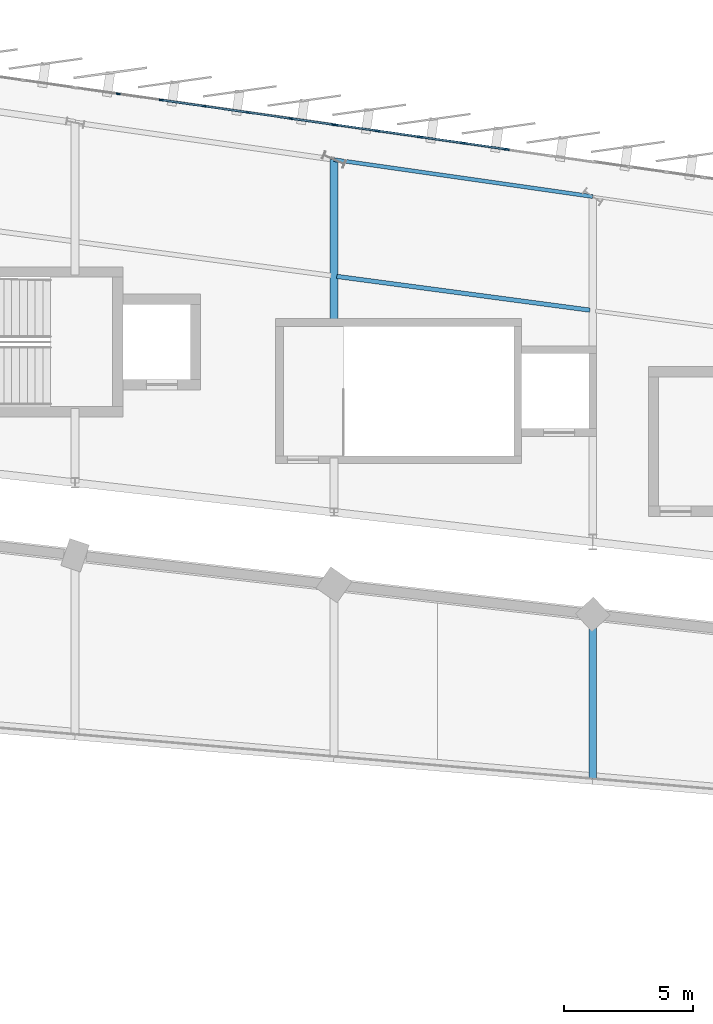
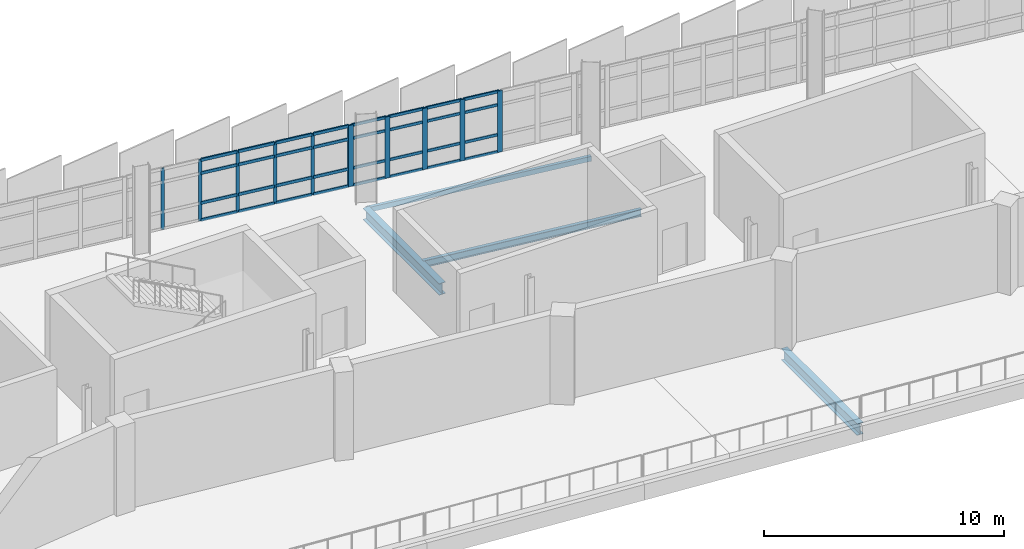
# One storey, part 35 of 87: 43 members, 4 beams, 2 elements without a shape of their own.
"""IFC4 building model written with IfcOpenShell, lengths in metres."""

import ifcopenshell
import ifcopenshell.guid

model = None  # the IFC model being written
_history = None  # IfcOwnerHistory: only IFC2X3 demands one
_inside = {}  # id of a spatial element -> (the spatial element, [elements in it])
_under = {}  # id of a project, library or spatial element -> (it, [spatial elements below it])
_declared = {}  # id of a project -> (the project, [libraries it declares])
_typed = {}  # id of a type object -> (the type object, [elements of that type])
_made_of = {}  # id of a material, layer set ... -> (it, [elements and type objects made of it])


def new_model(schema):
    """Start an empty IFC model of exactly this schema.

    Asked for "IFC4X3", IfcOpenShell would pick the latest addendum, in which some entities
    have other attributes; the version numbers below select the first issue.
    IFC2X3 requires an IfcOwnerHistory on every rooted entity: one is made here for all.
    """
    global model, _history
    if schema == "IFC4X3":
        model = ifcopenshell.file(schema_version=(4, 3, 0, 0))
    else:
        model = ifcopenshell.file(schema=schema)
    _inside.clear()
    _under.clear()
    _declared.clear()
    _typed.clear()
    _made_of.clear()
    _history = None
    if model.schema == "IFC2X3":
        org = make("IfcOrganization", Name="unknown")
        user = make(
            "IfcPersonAndOrganization",
            ThePerson=make("IfcPerson", FamilyName="unknown"),
            TheOrganization=org,
        )
        app = make(
            "IfcApplication",
            ApplicationDeveloper=org,
            Version="unknown",
            ApplicationFullName="unknown",
            ApplicationIdentifier="unknown",
        )
        _history = make(
            "IfcOwnerHistory",
            OwningUser=user,
            OwningApplication=app,
            ChangeAction="ADDED",
            CreationDate=0,
        )
    return model


def make(cls, **values):
    """One entity of the class cls with the attributes given. An attribute that is None is left unset."""
    return model.create_entity(
        cls, **{name: value for name, value in values.items() if value is not None}
    )


def rooted(cls, **values):
    """An entity with a GlobalId (a new one), such as an element, a storey or a relation."""
    return make(cls, GlobalId=ifcopenshell.guid.new(), OwnerHistory=_history, **values)


def si_unit(unit_type, name, prefix=None):
    """IfcSIUnit, for example si_unit("LENGTHUNIT", "METRE", prefix="MILLI")."""
    return make("IfcSIUnit", UnitType=unit_type, Prefix=prefix, Name=name)


def assignment(units):
    """IfcUnitAssignment: the units of a project."""
    return None if units is None else make("IfcUnitAssignment", Units=units)


def point(xyz):
    """IfcCartesianPoint."""
    return None if xyz is None else make("IfcCartesianPoint", Coordinates=xyz)


def direction(xyz):
    """IfcDirection."""
    return None if xyz is None else make("IfcDirection", DirectionRatios=xyz)


def frame(location, z_axis=None, x_axis=None):
    """IfcAxis2Placement3D, a coordinate frame: its origin and axes. An axis left out is left unset."""
    return make(
        "IfcAxis2Placement3D",
        Location=point(location),
        Axis=direction(z_axis),
        RefDirection=direction(x_axis),
    )


def frame_2d(location, x_axis=None):
    """IfcAxis2Placement2D, a coordinate frame in the plane: its origin and x axis."""
    return make(
        "IfcAxis2Placement2D", Location=point(location), RefDirection=direction(x_axis)
    )


def origin():
    """The frame at (0, 0, 0) with its axes left unset."""
    return frame((0.0, 0.0, 0.0))


def origin_2d():
    """The frame at (0, 0) in the plane with its x axis left unset."""
    return frame_2d((0.0, 0.0))


def place(relative_to, where):
    """IfcLocalPlacement: puts the frame where relative to a parent placement (None: the world)."""
    return make(
        "IfcLocalPlacement", PlacementRelTo=relative_to, RelativePlacement=where
    )


def context(
    kind, dimensions, precision=None, world=None, true_north=None, identifier=None
):
    """IfcGeometricRepresentationContext, for example the 3D "Model" context."""
    return make(
        "IfcGeometricRepresentationContext",
        ContextIdentifier=identifier,
        ContextType=kind,
        CoordinateSpaceDimension=dimensions,
        Precision=precision,
        WorldCoordinateSystem=world,
        TrueNorth=true_north,
    )


def subcontext(parent, identifier, kind, view, scale=None):
    """IfcGeometricRepresentationSubContext, for example "Body" below "Model"."""
    return make(
        "IfcGeometricRepresentationSubContext",
        ContextIdentifier=identifier,
        ContextType=kind,
        ParentContext=parent,
        TargetScale=scale,
        TargetView=view,
    )


def project(units=None, contexts=None):
    """IfcProject with its units and contexts."""
    return rooted(
        "IfcProject",
        Name="project",
        RepresentationContexts=contexts,
        UnitsInContext=assignment(units),
    )


def spatial(cls, under=None, at=None, **own):
    """A site, building, storey or space (cls), placed at a placement, below another one or the project."""
    s = rooted(cls, ObjectPlacement=at, **own)
    if under is not None:
        _under.setdefault(under.id(), (under, []))[1].append(s)
    return s


def profile(cls, at=None, kind="AREA", **sizes):
    """A parametric profile (cls). Its sizes go by their IFC names, for example OverallWidth=200.0."""
    return make(cls, ProfileType=kind, Position=at, **sizes)


def rectangle(**sizes):
    """IfcRectangleProfileDef."""
    return profile("IfcRectangleProfileDef", **sizes)


def hollow_rectangle(**sizes):
    """IfcRectangleHollowProfileDef."""
    return profile("IfcRectangleHollowProfileDef", **sizes)


def i_section(**sizes):
    """IfcIShapeProfileDef."""
    return profile("IfcIShapeProfileDef", **sizes)


def extrude(swept, where, along, depth):
    """IfcExtrudedAreaSolid: the profile swept, set in the frame where, extruded along a direction by depth."""
    return make(
        "IfcExtrudedAreaSolid",
        SweptArea=swept,
        Position=where,
        ExtrudedDirection=direction(along),
        Depth=depth,
    )


def shape(context_of_items, identifier, shape_type, items):
    """IfcShapeRepresentation: the items that make up one representation, for example the "Body"."""
    return make(
        "IfcShapeRepresentation",
        ContextOfItems=context_of_items,
        RepresentationIdentifier=identifier,
        RepresentationType=shape_type,
        Items=items,
    )


def material(Name=None, Category=None):
    """IfcMaterial."""
    return make("IfcMaterial", Name=Name, Category=Category)


def layer(
    of_material, thickness, ventilated=None, Name=None, Category=None, Priority=None
):
    """IfcMaterialLayer: one layer of a wall or slab, of a material (None: an air gap)."""
    return make(
        "IfcMaterialLayer",
        Material=of_material,
        LayerThickness=thickness,
        IsVentilated=ventilated,
        Name=Name,
        Category=Category,
        Priority=Priority,
    )


def layer_set(layers, Name=None):
    """IfcMaterialLayerSet."""
    return make("IfcMaterialLayerSet", MaterialLayers=layers, LayerSetName=Name)


def material_profile(
    of_material, cross_section, Name=None, Category=None, Priority=None
):
    """IfcMaterialProfile: a cross section and its material."""
    return make(
        "IfcMaterialProfile",
        Name=Name,
        Material=of_material,
        Profile=cross_section,
        Priority=Priority,
        Category=Category,
    )


def profile_set(profiles, Name=None, composite=None):
    """IfcMaterialProfileSet."""
    return make(
        "IfcMaterialProfileSet",
        Name=Name,
        MaterialProfiles=profiles,
        CompositeProfile=composite,
    )


def made_of(thing, what):
    """Note that an element or type object is made of a material, layer set ...; save() writes the relation."""
    if what is not None:
        _made_of.setdefault(what.id(), (what, []))[1].append(thing)
    return thing


def type_object(cls, material=None, **own):
    """A type object (cls), such as IfcWallType, which elements share."""
    return made_of(rooted(cls, **own), material)


def element(
    cls,
    number,
    at=None,
    inside=None,
    cuts=None,
    type_object=None,
    material=None,
    context=None,
    identifier="Body",
    shape_type=None,
    held_by="IfcProductDefinitionShape",
    body=None,
    shapes=None,
    **own,
):
    """One element of the class cls, such as IfcWall. Its Tag is "e" and its number.

    at: its placement. inside: the storey or other place that contains it. cuts: it is an
    opening in that element (IfcRelVoidsElement). A single representation is given by context,
    identifier, shape_type and body (its items); several are given by shapes. held_by: the class
    of the entity that holds the representations. save() writes the other relations.
    """
    e = rooted(cls, Tag="e%d" % number, ObjectPlacement=at, **own)
    if body is not None:
        shapes = [shape(context, identifier, shape_type, body)]
    if shapes is not None:
        e.Representation = make(held_by, Representations=shapes)
    if inside is not None:
        _inside.setdefault(inside.id(), (inside, []))[1].append(e)
    if cuts is not None:
        rooted(
            "IfcRelVoidsElement", RelatingBuildingElement=cuts, RelatedOpeningElement=e
        )
    if type_object is not None:
        _typed.setdefault(type_object.id(), (type_object, []))[1].append(e)
    return made_of(e, material)


def aggregate(whole, parts):
    """IfcRelAggregates: a whole, such as a stair, and the parts it consists of."""
    return rooted("IfcRelAggregates", RelatingObject=whole, RelatedObjects=parts)


def save(model, path):
    """Write the relations noted so far, then the file.

    IfcRelAggregates (storeys below a building ...), IfcRelContainedInSpatialStructure (elements
    in a storey), IfcRelDefinesByType, IfcRelAssociatesMaterial and IfcRelDeclares: one each for
    every whole, place, type object, material and project.
    """
    for whole, parts in _under.values():
        aggregate(whole, parts)
    for where, things in _inside.values():
        rooted(
            "IfcRelContainedInSpatialStructure",
            RelatedElements=things,
            RelatingStructure=where,
        )
    for kind, things in _typed.values():
        rooted("IfcRelDefinesByType", RelatedObjects=things, RelatingType=kind)
    for what, things in _made_of.values():
        rooted("IfcRelAssociatesMaterial", RelatedObjects=things, RelatingMaterial=what)
    for by, libraries in _declared.values():
        rooted("IfcRelDeclares", RelatingContext=by, RelatedDefinitions=libraries)
    model.write(path)


model = new_model("IFC4")

# Units and contexts
model_context = context("Model", 3, precision=1e-05, world=origin(), true_north=direction((0.0, 1.0)))
body_context = subcontext(model_context, "Body", "Model", "MODEL_VIEW")
ifc_project = project(units=[si_unit("LENGTHUNIT", "METRE"), si_unit("AREAUNIT", "SQUARE_METRE"), si_unit("VOLUMEUNIT", "CUBIC_METRE"), si_unit("PLANEANGLEUNIT", "RADIAN"), si_unit("MASSUNIT", "GRAM", prefix="KILO")], contexts=[model_context])

# Site, building, storey
site_placement = place(None, origin())
site = spatial("IfcSite", under=ifc_project, at=site_placement, CompositionType="ELEMENT")
building_placement = place(site_placement, origin())
building = spatial("IfcBuilding", under=site, at=building_placement, Name="Sohan Crest Arena", CompositionType="ELEMENT")
storey_placement = place(building_placement, frame((0.0, 0.0, 18.0)))
storey = spatial("IfcBuildingStorey", under=building, at=storey_placement, Name="L04", CompositionType="ELEMENT", Elevation=18.0)

# Curtain wall, members
ifc_material_1 = material(Name="Thermally broken anodised aluminium", Category="aluminium")
ifc_layer_1 = layer(ifc_material_1, 0.219970703125, Name="Thermally broken anodised aluminium")
ifc_layer_set_1 = layer_set([ifc_layer_1], Name="Thermally broken anodised aluminium")
curtain_wall_type_1 = type_object("IfcCurtainWallType", Name="ARC-CW03", PredefinedType="NOTDEFINED", material=ifc_layer_set_1)
curtain_wall_1_placement = place(storey_placement, origin())
curtain_wall_1 = element("IfcCurtainWall", 1, at=curtain_wall_1_placement, inside=storey, type_object=curtain_wall_type_1, Name="Unitised curtain wall CW-144", PredefinedType="NOTDEFINED")
ifc_material_profile_1 = material_profile(ifc_material_1, rectangle(XDim=0.06005859375, YDim=0.159912109375, at=origin_2d()), Name="ALU-MULL 60x160")
ifc_profile_set_1 = profile_set([ifc_material_profile_1], Name="Thermally broken anodised aluminium")
member_type_1 = type_object("IfcMemberType", Name="ARC-CW-ML01", PredefinedType="MULLION", material=ifc_profile_set_1)
member_1_placement = place(storey_placement, frame((117.97021484375, 124.497314453125, 0.0), z_axis=(0.0, 0.0, 1.0), x_axis=(-0.141365918403, -0.989957411768, 0.0)))
member_1 = element("IfcMember", 2, at=member_1_placement, type_object=member_type_1, Name="CW-144 mullion 1", PredefinedType="MULLION", context=body_context, shape_type="SweptSolid", body=[
    extrude(rectangle(XDim=0.06005859375, YDim=0.159912109375, at=origin_2d()), origin(), (0.0, 0.0, 1.0), 3.1201171875),
])
member_2_placement = place(storey_placement, frame((116.333251953125, 124.73095703125, 0.0), z_axis=(0.0, 0.0, 1.0), x_axis=(-0.141365918403, -0.989957411768, 0.0)))
member_2 = element("IfcMember", 3, at=member_2_placement, type_object=member_type_1, Name="CW-144 mullion 2", PredefinedType="MULLION", context=body_context, shape_type="SweptSolid", body=[
    extrude(rectangle(XDim=0.06005859375, YDim=0.159912109375, at=origin_2d()), origin(), (0.0, 0.0, 1.0), 3.1201171875),
])
member_3_placement = place(storey_placement, frame((114.666748046875, 124.968994140625, 0.0), z_axis=(0.0, 0.0, 1.0), x_axis=(-0.141365918403, -0.989957411768, 0.0)))
member_3 = element("IfcMember", 4, at=member_3_placement, type_object=member_type_1, Name="CW-144 mullion 3", PredefinedType="MULLION", context=body_context, shape_type="SweptSolid", body=[
    extrude(rectangle(XDim=0.06005859375, YDim=0.159912109375, at=origin_2d()), origin(), (0.0, 0.0, 1.0), 3.1201171875),
])
member_4_placement = place(storey_placement, frame((113.0, 125.20703125, 0.0), z_axis=(0.0, 0.0, 1.0), x_axis=(-0.141365918403, -0.989957411768, 0.0)))
member_4 = element("IfcMember", 5, at=member_4_placement, type_object=member_type_1, Name="CW-144 mullion 4", PredefinedType="MULLION", context=body_context, shape_type="SweptSolid", body=[
    extrude(rectangle(XDim=0.06005859375, YDim=0.159912109375, at=origin_2d()), origin(), (0.0, 0.0, 1.0), 3.1201171875),
])
member_5_placement = place(storey_placement, frame((111.333251953125, 125.445068359375, 0.0), z_axis=(0.0, 0.0, 1.0), x_axis=(-0.141365918403, -0.989957411768, 0.0)))
member_5 = element("IfcMember", 6, at=member_5_placement, type_object=member_type_1, Name="CW-144 mullion 5", PredefinedType="MULLION", context=body_context, shape_type="SweptSolid", body=[
    extrude(rectangle(XDim=0.06005859375, YDim=0.159912109375, at=origin_2d()), origin(), (0.0, 0.0, 1.0), 3.1201171875),
])
member_6_placement = place(storey_placement, frame((109.666748046875, 125.68310546875, 0.0), z_axis=(0.0, 0.0, 1.0), x_axis=(-0.141365918403, -0.989957411768, 0.0)))
member_6 = element("IfcMember", 7, at=member_6_placement, type_object=member_type_1, Name="CW-144 mullion 6", PredefinedType="MULLION", context=body_context, shape_type="SweptSolid", body=[
    extrude(rectangle(XDim=0.06005859375, YDim=0.159912109375, at=origin_2d()), origin(), (0.0, 0.0, 1.0), 3.1201171875),
])

ifc_layer_2 = layer(ifc_material_1, 0.199951171875, Name="Thermally broken anodised aluminium")
ifc_layer_set_2 = layer_set([ifc_layer_2], Name="Thermally broken anodised aluminium")
curtain_wall_type_2 = type_object("IfcCurtainWallType", Name="ARC-CW02", PredefinedType="NOTDEFINED", material=ifc_layer_set_2)
curtain_wall_2_placement = place(storey_placement, origin())
curtain_wall_2 = element("IfcCurtainWall", 8, at=curtain_wall_2_placement, inside=storey, type_object=curtain_wall_type_2, Name="Unitised curtain wall CW-143", PredefinedType="NOTDEFINED")
ifc_material_profile_2 = material_profile(ifc_material_1, rectangle(XDim=0.074951171875, YDim=0.219970703125, at=origin_2d()), Name="ALU-MULL 75x220")
ifc_profile_set_2 = profile_set([ifc_material_profile_2], Name="Thermally broken anodised aluminium")
member_type_2 = type_object("IfcMemberType", Name="ARC-CW-ML04", PredefinedType="MULLION", material=ifc_profile_set_2)
member_7_placement = place(storey_placement, frame((124.666748046875, 123.540283203125, 0.0), z_axis=(0.0, 0.0, 1.0), x_axis=(-0.141462933734, -0.989943553128, 0.0)))
member_7 = element("IfcMember", 9, at=member_7_placement, type_object=member_type_2, Name="CW-143 mullion 3", PredefinedType="MULLION", context=body_context, shape_type="SweptSolid", body=[
    extrude(rectangle(XDim=0.074951171875, YDim=0.219970703125, at=origin_2d()), origin(), (0.0, 0.0, 1.0), 3.1201171875),
])
member_8_placement = place(storey_placement, frame((123.0, 123.778564453125, 0.0), z_axis=(0.0, 0.0, 1.0), x_axis=(-0.141462933734, -0.989943553128, 0.0)))
member_8 = element("IfcMember", 10, at=member_8_placement, type_object=member_type_2, Name="CW-143 mullion 4", PredefinedType="MULLION", context=body_context, shape_type="SweptSolid", body=[
    extrude(rectangle(XDim=0.074951171875, YDim=0.219970703125, at=origin_2d()), origin(), (0.0, 0.0, 1.0), 3.1201171875),
])
member_9_placement = place(storey_placement, frame((121.333251953125, 124.0166015625, 0.0), z_axis=(0.0, 0.0, 1.0), x_axis=(-0.141462933734, -0.989943553128, 0.0)))
member_9 = element("IfcMember", 11, at=member_9_placement, type_object=member_type_2, Name="CW-143 mullion 5", PredefinedType="MULLION", context=body_context, shape_type="SweptSolid", body=[
    extrude(rectangle(XDim=0.074951171875, YDim=0.219970703125, at=origin_2d()), origin(), (0.0, 0.0, 1.0), 3.1201171875),
])
member_10_placement = place(storey_placement, frame((119.666748046875, 124.2548828125, 0.0), z_axis=(0.0, 0.0, 1.0), x_axis=(-0.141462933734, -0.989943553128, 0.0)))
member_10 = element("IfcMember", 12, at=member_10_placement, type_object=member_type_2, Name="CW-143 mullion 6", PredefinedType="MULLION", context=body_context, shape_type="SweptSolid", body=[
    extrude(rectangle(XDim=0.074951171875, YDim=0.219970703125, at=origin_2d()), origin(), (0.0, 0.0, 1.0), 3.1201171875),
])
member_11_placement = place(storey_placement, frame((118.037109375, 124.48779296875, 0.0), z_axis=(0.0, 0.0, 1.0), x_axis=(-0.141462933734, -0.989943553128, 0.0)))
member_11 = element("IfcMember", 13, at=member_11_placement, type_object=member_type_2, Name="CW-143 mullion 7", PredefinedType="MULLION", context=body_context, shape_type="SweptSolid", body=[
    extrude(rectangle(XDim=0.074951171875, YDim=0.219970703125, at=origin_2d()), origin(), (0.0, 0.0, 1.0), 3.1201171875),
])
ifc_material_profile_3 = material_profile(ifc_material_1, rectangle(XDim=0.06494140625, YDim=0.139892578125, at=origin_2d()), Name="ALU-TRAN 65x140")
ifc_profile_set_3 = profile_set([ifc_material_profile_3], Name="Thermally broken anodised aluminium")
member_type_3 = type_object("IfcMemberType", Name="ARC-CW-TR02", PredefinedType="USERDEFINED", material=ifc_profile_set_3)
member_12_placement = place(storey_placement, frame((124.629638671875, 123.545654296875, 0.032470703125), z_axis=(-0.989946458184, 0.141442602948, 0.0), x_axis=(-0.141442602948, -0.989946458184, 0.0)))
member_12 = element("IfcMember", 14, at=member_12_placement, type_object=member_type_3, Name="CW-143 transom 3.1", ObjectType="TRANSOM", PredefinedType="USERDEFINED", context=body_context, shape_type="SweptSolid", body=[
    extrude(rectangle(XDim=0.06494140625, YDim=0.139892578125, at=origin_2d()), origin(), (0.0, 0.0, 1.0), 1.608642578125),
])
member_13_placement = place(storey_placement, frame((124.629638671875, 123.545654296875, 0.89990234375), z_axis=(-0.989946458184, 0.141442602948, 0.0), x_axis=(-0.141442602948, -0.989946458184, 0.0)))
member_13 = element("IfcMember", 15, at=member_13_placement, type_object=member_type_3, Name="CW-143 transom 3.2", ObjectType="TRANSOM", PredefinedType="USERDEFINED", context=body_context, shape_type="SweptSolid", body=[
    extrude(rectangle(XDim=0.06494140625, YDim=0.139892578125, at=origin_2d()), origin(), (0.0, 0.0, 1.0), 1.608642578125),
])
member_14_placement = place(storey_placement, frame((124.629638671875, 123.545654296875, 2.419921875), z_axis=(-0.989946458184, 0.141442602948, 0.0), x_axis=(-0.141442602948, -0.989946458184, 0.0)))
member_14 = element("IfcMember", 16, at=member_14_placement, type_object=member_type_3, Name="CW-143 transom 3.3", ObjectType="TRANSOM", PredefinedType="USERDEFINED", context=body_context, shape_type="SweptSolid", body=[
    extrude(rectangle(XDim=0.06494140625, YDim=0.139892578125, at=origin_2d()), origin(), (0.0, 0.0, 1.0), 1.608642578125),
])
member_15_placement = place(storey_placement, frame((124.629638671875, 123.545654296875, 3.08740234375), z_axis=(-0.989946458184, 0.141442602948, 0.0), x_axis=(-0.141442602948, -0.989946458184, 0.0)))
member_15 = element("IfcMember", 17, at=member_15_placement, type_object=member_type_3, Name="CW-143 transom 3.4", ObjectType="TRANSOM", PredefinedType="USERDEFINED", context=body_context, shape_type="SweptSolid", body=[
    extrude(rectangle(XDim=0.06494140625, YDim=0.139892578125, at=origin_2d()), origin(), (0.0, 0.0, 1.0), 1.608642578125),
])
member_16_placement = place(storey_placement, frame((122.962890625, 123.78369140625, 0.032470703125), z_axis=(-0.989925197599, 0.141591324446, 0.0), x_axis=(-0.141591324446, -0.989925197599, 0.0)))
member_16 = element("IfcMember", 18, at=member_16_placement, type_object=member_type_3, Name="CW-143 transom 4.1", ObjectType="TRANSOM", PredefinedType="USERDEFINED", context=body_context, shape_type="SweptSolid", body=[
    extrude(rectangle(XDim=0.06494140625, YDim=0.139892578125, at=origin_2d()), origin(), (0.0, 0.0, 1.0), 1.608642578125),
])
member_17_placement = place(storey_placement, frame((122.962890625, 123.78369140625, 0.89990234375), z_axis=(-0.989925197599, 0.141591324446, 0.0), x_axis=(-0.141591324446, -0.989925197599, 0.0)))
member_17 = element("IfcMember", 19, at=member_17_placement, type_object=member_type_3, Name="CW-143 transom 4.2", ObjectType="TRANSOM", PredefinedType="USERDEFINED", context=body_context, shape_type="SweptSolid", body=[
    extrude(rectangle(XDim=0.06494140625, YDim=0.139892578125, at=origin_2d()), origin(), (0.0, 0.0, 1.0), 1.608642578125),
])
member_18_placement = place(storey_placement, frame((122.962890625, 123.78369140625, 2.419921875), z_axis=(-0.989925197599, 0.141591324446, 0.0), x_axis=(-0.141591324446, -0.989925197599, 0.0)))
member_18 = element("IfcMember", 20, at=member_18_placement, type_object=member_type_3, Name="CW-143 transom 4.3", ObjectType="TRANSOM", PredefinedType="USERDEFINED", context=body_context, shape_type="SweptSolid", body=[
    extrude(rectangle(XDim=0.06494140625, YDim=0.139892578125, at=origin_2d()), origin(), (0.0, 0.0, 1.0), 1.608642578125),
])
member_19_placement = place(storey_placement, frame((122.962890625, 123.78369140625, 3.08740234375), z_axis=(-0.989925197599, 0.141591324446, 0.0), x_axis=(-0.141591324446, -0.989925197599, 0.0)))
member_19 = element("IfcMember", 21, at=member_19_placement, type_object=member_type_3, Name="CW-143 transom 4.4", ObjectType="TRANSOM", PredefinedType="USERDEFINED", context=body_context, shape_type="SweptSolid", body=[
    extrude(rectangle(XDim=0.06494140625, YDim=0.139892578125, at=origin_2d()), origin(), (0.0, 0.0, 1.0), 1.608642578125),
])
member_20_placement = place(storey_placement, frame((121.296142578125, 124.02197265625, 0.032470703125), z_axis=(-0.989943421339, 0.141463855978, 0.0), x_axis=(-0.141463855978, -0.989943421339, 0.0)))
member_20 = element("IfcMember", 22, at=member_20_placement, type_object=member_type_3, Name="CW-143 transom 5.1", ObjectType="TRANSOM", PredefinedType="USERDEFINED", context=body_context, shape_type="SweptSolid", body=[
    extrude(rectangle(XDim=0.06494140625, YDim=0.139892578125, at=origin_2d()), origin(), (0.0, 0.0, 1.0), 1.6083984375),
])
member_21_placement = place(storey_placement, frame((121.296142578125, 124.02197265625, 0.89990234375), z_axis=(-0.989943421339, 0.141463855978, 0.0), x_axis=(-0.141463855978, -0.989943421339, 0.0)))
member_21 = element("IfcMember", 23, at=member_21_placement, type_object=member_type_3, Name="CW-143 transom 5.2", ObjectType="TRANSOM", PredefinedType="USERDEFINED", context=body_context, shape_type="SweptSolid", body=[
    extrude(rectangle(XDim=0.06494140625, YDim=0.139892578125, at=origin_2d()), origin(), (0.0, 0.0, 1.0), 1.6083984375),
])
member_22_placement = place(storey_placement, frame((121.296142578125, 124.02197265625, 2.419921875), z_axis=(-0.989943421339, 0.141463855978, 0.0), x_axis=(-0.141463855978, -0.989943421339, 0.0)))
member_22 = element("IfcMember", 24, at=member_22_placement, type_object=member_type_3, Name="CW-143 transom 5.3", ObjectType="TRANSOM", PredefinedType="USERDEFINED", context=body_context, shape_type="SweptSolid", body=[
    extrude(rectangle(XDim=0.06494140625, YDim=0.139892578125, at=origin_2d()), origin(), (0.0, 0.0, 1.0), 1.6083984375),
])
member_23_placement = place(storey_placement, frame((121.296142578125, 124.02197265625, 3.08740234375), z_axis=(-0.989943421339, 0.141463855978, 0.0), x_axis=(-0.141463855978, -0.989943421339, 0.0)))
member_23 = element("IfcMember", 25, at=member_23_placement, type_object=member_type_3, Name="CW-143 transom 5.4", ObjectType="TRANSOM", PredefinedType="USERDEFINED", context=body_context, shape_type="SweptSolid", body=[
    extrude(rectangle(XDim=0.06494140625, YDim=0.139892578125, at=origin_2d()), origin(), (0.0, 0.0, 1.0), 1.6083984375),
])
member_24_placement = place(storey_placement, frame((119.629638671875, 124.26025390625, 0.032470703125), z_axis=(-0.989952601106, 0.141399602418, 0.0), x_axis=(-0.141399602418, -0.989952601106, 0.0)))
member_24 = element("IfcMember", 26, at=member_24_placement, type_object=member_type_3, Name="CW-143 transom 6.1", ObjectType="TRANSOM", PredefinedType="USERDEFINED", context=body_context, shape_type="SweptSolid", body=[
    extrude(rectangle(XDim=0.06494140625, YDim=0.139892578125, at=origin_2d()), origin(), (0.0, 0.0, 1.0), 1.5712890625),
])
member_25_placement = place(storey_placement, frame((119.629638671875, 124.26025390625, 0.89990234375), z_axis=(-0.989952601106, 0.141399602418, 0.0), x_axis=(-0.141399602418, -0.989952601106, 0.0)))
member_25 = element("IfcMember", 27, at=member_25_placement, type_object=member_type_3, Name="CW-143 transom 6.2", ObjectType="TRANSOM", PredefinedType="USERDEFINED", context=body_context, shape_type="SweptSolid", body=[
    extrude(rectangle(XDim=0.06494140625, YDim=0.139892578125, at=origin_2d()), origin(), (0.0, 0.0, 1.0), 1.5712890625),
])
member_26_placement = place(storey_placement, frame((119.629638671875, 124.26025390625, 2.419921875), z_axis=(-0.989952601106, 0.141399602418, 0.0), x_axis=(-0.141399602418, -0.989952601106, 0.0)))
member_26 = element("IfcMember", 28, at=member_26_placement, type_object=member_type_3, Name="CW-143 transom 6.3", ObjectType="TRANSOM", PredefinedType="USERDEFINED", context=body_context, shape_type="SweptSolid", body=[
    extrude(rectangle(XDim=0.06494140625, YDim=0.139892578125, at=origin_2d()), origin(), (0.0, 0.0, 1.0), 1.5712890625),
])
member_27_placement = place(storey_placement, frame((119.629638671875, 124.26025390625, 3.08740234375), z_axis=(-0.989952601106, 0.141399602418, 0.0), x_axis=(-0.141399602418, -0.989952601106, 0.0)))
member_27 = element("IfcMember", 29, at=member_27_placement, type_object=member_type_3, Name="CW-143 transom 6.4", ObjectType="TRANSOM", PredefinedType="USERDEFINED", context=body_context, shape_type="SweptSolid", body=[
    extrude(rectangle(XDim=0.06494140625, YDim=0.139892578125, at=origin_2d()), origin(), (0.0, 0.0, 1.0), 1.5712890625),
])
aggregate(curtain_wall_2, [member_7, member_8, member_9, member_10, member_11, member_12, member_13, member_14, member_15, member_16, member_17, member_18, member_19, member_20, member_21, member_22, member_23, member_24, member_25, member_26, member_27])

# Member
ifc_material_profile_4 = material_profile(ifc_material_1, rectangle(XDim=0.070068359375, YDim=0.14990234375, at=origin_2d()), Name="ALU-TRAN 70x150")
ifc_profile_set_4 = profile_set([ifc_material_profile_4], Name="Thermally broken anodised aluminium")
member_type_4 = type_object("IfcMemberType", Name="ARC-CW-TR03", PredefinedType="USERDEFINED", material=ifc_profile_set_4)
member_28_placement = place(storey_placement, frame((117.940673828125, 124.50146484375, 0.034912109375), z_axis=(-0.989952557349, 0.141399908764, 0.0), x_axis=(-0.141399908764, -0.989952557349, 0.0)))
member_28 = element("IfcMember", 30, at=member_28_placement, type_object=member_type_4, Name="CW-144 transom 1.1", ObjectType="TRANSOM", PredefinedType="USERDEFINED", context=body_context, shape_type="SweptSolid", body=[
    extrude(rectangle(XDim=0.070068359375, YDim=0.14990234375, at=origin_2d()), origin(), (0.0, 0.0, 1.0), 1.59375),
])

member_29_placement = place(storey_placement, frame((117.940673828125, 124.50146484375, 0.89990234375), z_axis=(-0.989952557349, 0.141399908764, 0.0), x_axis=(-0.141399908764, -0.989952557349, 0.0)))
member_29 = element("IfcMember", 31, at=member_29_placement, type_object=member_type_4, Name="CW-144 transom 1.2", ObjectType="TRANSOM", PredefinedType="USERDEFINED", context=body_context, shape_type="SweptSolid", body=[
    extrude(rectangle(XDim=0.070068359375, YDim=0.14990234375, at=origin_2d()), origin(), (0.0, 0.0, 1.0), 1.59375),
])

member_30_placement = place(storey_placement, frame((117.940673828125, 124.50146484375, 2.419921875), z_axis=(-0.989952557349, 0.141399908764, 0.0), x_axis=(-0.141399908764, -0.989952557349, 0.0)))
member_30 = element("IfcMember", 32, at=member_30_placement, type_object=member_type_4, Name="CW-144 transom 1.3", ObjectType="TRANSOM", PredefinedType="USERDEFINED", context=body_context, shape_type="SweptSolid", body=[
    extrude(rectangle(XDim=0.070068359375, YDim=0.14990234375, at=origin_2d()), origin(), (0.0, 0.0, 1.0), 1.59375),
])

member_31_placement = place(storey_placement, frame((117.940673828125, 124.50146484375, 3.0849609375), z_axis=(-0.989952557349, 0.141399908764, 0.0), x_axis=(-0.141399908764, -0.989952557349, 0.0)))
member_31 = element("IfcMember", 33, at=member_31_placement, type_object=member_type_4, Name="CW-144 transom 1.4", ObjectType="TRANSOM", PredefinedType="USERDEFINED", context=body_context, shape_type="SweptSolid", body=[
    extrude(rectangle(XDim=0.070068359375, YDim=0.14990234375, at=origin_2d()), origin(), (0.0, 0.0, 1.0), 1.59375),
])

member_32_placement = place(storey_placement, frame((116.3037109375, 124.7353515625, 0.034912109375), z_axis=(-0.989961518774, 0.141337154868, 0.0), x_axis=(-0.141337154868, -0.989961518774, 0.0)))
member_32 = element("IfcMember", 34, at=member_32_placement, type_object=member_type_4, Name="CW-144 transom 2.1", ObjectType="TRANSOM", PredefinedType="USERDEFINED", context=body_context, shape_type="SweptSolid", body=[
    extrude(rectangle(XDim=0.070068359375, YDim=0.14990234375, at=origin_2d()), origin(), (0.0, 0.0, 1.0), 1.623779296875),
])

member_33_placement = place(storey_placement, frame((116.3037109375, 124.7353515625, 0.89990234375), z_axis=(-0.989961518774, 0.141337154868, 0.0), x_axis=(-0.141337154868, -0.989961518774, 0.0)))
member_33 = element("IfcMember", 35, at=member_33_placement, type_object=member_type_4, Name="CW-144 transom 2.2", ObjectType="TRANSOM", PredefinedType="USERDEFINED", context=body_context, shape_type="SweptSolid", body=[
    extrude(rectangle(XDim=0.070068359375, YDim=0.14990234375, at=origin_2d()), origin(), (0.0, 0.0, 1.0), 1.623779296875),
])

member_34_placement = place(storey_placement, frame((116.3037109375, 124.7353515625, 2.419921875), z_axis=(-0.989961518774, 0.141337154868, 0.0), x_axis=(-0.141337154868, -0.989961518774, 0.0)))
member_34 = element("IfcMember", 36, at=member_34_placement, type_object=member_type_4, Name="CW-144 transom 2.3", ObjectType="TRANSOM", PredefinedType="USERDEFINED", context=body_context, shape_type="SweptSolid", body=[
    extrude(rectangle(XDim=0.070068359375, YDim=0.14990234375, at=origin_2d()), origin(), (0.0, 0.0, 1.0), 1.623779296875),
])

member_35_placement = place(storey_placement, frame((116.3037109375, 124.7353515625, 3.0849609375), z_axis=(-0.989961518774, 0.141337154868, 0.0), x_axis=(-0.141337154868, -0.989961518774, 0.0)))
member_35 = element("IfcMember", 37, at=member_35_placement, type_object=member_type_4, Name="CW-144 transom 2.4", ObjectType="TRANSOM", PredefinedType="USERDEFINED", context=body_context, shape_type="SweptSolid", body=[
    extrude(rectangle(XDim=0.070068359375, YDim=0.14990234375, at=origin_2d()), origin(), (0.0, 0.0, 1.0), 1.623779296875),
])

member_36_placement = place(storey_placement, frame((114.636962890625, 124.97314453125, 0.034912109375), z_axis=(-0.98993745985, 0.141505567328, 0.0), x_axis=(-0.141505567328, -0.98993745985, 0.0)))
member_36 = element("IfcMember", 38, at=member_36_placement, type_object=member_type_4, Name="CW-144 transom 3.1", ObjectType="TRANSOM", PredefinedType="USERDEFINED", context=body_context, shape_type="SweptSolid", body=[
    extrude(rectangle(XDim=0.070068359375, YDim=0.14990234375, at=origin_2d()), origin(), (0.0, 0.0, 1.0), 1.62353515625),
])

member_37_placement = place(storey_placement, frame((114.636962890625, 124.97314453125, 0.89990234375), z_axis=(-0.98993745985, 0.141505567328, 0.0), x_axis=(-0.141505567328, -0.98993745985, 0.0)))
member_37 = element("IfcMember", 39, at=member_37_placement, type_object=member_type_4, Name="CW-144 transom 3.2", ObjectType="TRANSOM", PredefinedType="USERDEFINED", context=body_context, shape_type="SweptSolid", body=[
    extrude(rectangle(XDim=0.070068359375, YDim=0.14990234375, at=origin_2d()), origin(), (0.0, 0.0, 1.0), 1.62353515625),
])

member_38_placement = place(storey_placement, frame((114.636962890625, 124.97314453125, 2.419921875), z_axis=(-0.98993745985, 0.141505567328, 0.0), x_axis=(-0.141505567328, -0.98993745985, 0.0)))
member_38 = element("IfcMember", 40, at=member_38_placement, type_object=member_type_4, Name="CW-144 transom 3.3", ObjectType="TRANSOM", PredefinedType="USERDEFINED", context=body_context, shape_type="SweptSolid", body=[
    extrude(rectangle(XDim=0.070068359375, YDim=0.14990234375, at=origin_2d()), origin(), (0.0, 0.0, 1.0), 1.62353515625),
])

member_39_placement = place(storey_placement, frame((114.636962890625, 124.97314453125, 3.0849609375), z_axis=(-0.98993745985, 0.141505567328, 0.0), x_axis=(-0.141505567328, -0.98993745985, 0.0)))
member_39 = element("IfcMember", 41, at=member_39_placement, type_object=member_type_4, Name="CW-144 transom 3.4", ObjectType="TRANSOM", PredefinedType="USERDEFINED", context=body_context, shape_type="SweptSolid", body=[
    extrude(rectangle(XDim=0.070068359375, YDim=0.14990234375, at=origin_2d()), origin(), (0.0, 0.0, 1.0), 1.62353515625),
])

member_40_placement = place(storey_placement, frame((112.97021484375, 125.211181640625, 0.034912109375), z_axis=(-0.98995851451, 0.141358195904, 0.0), x_axis=(-0.141358195904, -0.98995851451, 0.0)))
member_40 = element("IfcMember", 42, at=member_40_placement, type_object=member_type_4, Name="CW-144 transom 4.1", ObjectType="TRANSOM", PredefinedType="USERDEFINED", context=body_context, shape_type="SweptSolid", body=[
    extrude(rectangle(XDim=0.070068359375, YDim=0.14990234375, at=origin_2d()), origin(), (0.0, 0.0, 1.0), 1.62353515625),
])

member_41_placement = place(storey_placement, frame((112.97021484375, 125.211181640625, 0.89990234375), z_axis=(-0.98995851451, 0.141358195904, 0.0), x_axis=(-0.141358195904, -0.98995851451, 0.0)))
member_41 = element("IfcMember", 43, at=member_41_placement, type_object=member_type_4, Name="CW-144 transom 4.2", ObjectType="TRANSOM", PredefinedType="USERDEFINED", context=body_context, shape_type="SweptSolid", body=[
    extrude(rectangle(XDim=0.070068359375, YDim=0.14990234375, at=origin_2d()), origin(), (0.0, 0.0, 1.0), 1.62353515625),
])

member_42_placement = place(storey_placement, frame((112.97021484375, 125.211181640625, 2.419921875), z_axis=(-0.98995851451, 0.141358195904, 0.0), x_axis=(-0.141358195904, -0.98995851451, 0.0)))
member_42 = element("IfcMember", 44, at=member_42_placement, type_object=member_type_4, Name="CW-144 transom 4.3", ObjectType="TRANSOM", PredefinedType="USERDEFINED", context=body_context, shape_type="SweptSolid", body=[
    extrude(rectangle(XDim=0.070068359375, YDim=0.14990234375, at=origin_2d()), origin(), (0.0, 0.0, 1.0), 1.62353515625),
])

member_43_placement = place(storey_placement, frame((112.97021484375, 125.211181640625, 3.0849609375), z_axis=(-0.98995851451, 0.141358195904, 0.0), x_axis=(-0.141358195904, -0.98995851451, 0.0)))
member_43 = element("IfcMember", 45, at=member_43_placement, type_object=member_type_4, Name="CW-144 transom 4.4", ObjectType="TRANSOM", PredefinedType="USERDEFINED", context=body_context, shape_type="SweptSolid", body=[
    extrude(rectangle(XDim=0.070068359375, YDim=0.14990234375, at=origin_2d()), origin(), (0.0, 0.0, 1.0), 1.62353515625),
])

aggregate(curtain_wall_1, [member_1, member_2, member_3, member_4, member_5, member_6, member_28, member_29, member_30, member_31, member_32, member_33, member_34, member_35, member_36, member_37, member_38, member_39, member_40, member_41, member_42, member_43])

# Beams
ifc_material_2 = material(Name="Steel S355", Category="steel")
ifc_material_profile_5 = material_profile(ifc_material_2, i_section(OverallWidth=0.169921875, OverallDepth=0.360107421875, WebThickness=0.008056640625, FlangeThickness=0.0126953125, at=origin_2d()), Name="IPE 360")
ifc_profile_set_5 = profile_set([ifc_material_profile_5], Name="Steel S355")
beam_type_1 = type_object("IfcBeamType", Name="STR-BM-B02", PredefinedType="JOIST", material=ifc_profile_set_5)
beam_1_placement = place(storey_placement, frame((127.89111328125, 117.325927734375, -0.429931640625), z_axis=(-0.991232437337, 0.132129690721, 0.0), x_axis=(-0.132129690721, -0.991232437337, 0.0)))
element("IfcBeam", 46, at=beam_1_placement, inside=storey, type_object=beam_type_1, Name="Structural beam J-L04-1696", PredefinedType="JOIST", context=body_context, shape_type="SweptSolid", body=[
    extrude(i_section(OverallWidth=0.169921875, OverallDepth=0.360107421875, WebThickness=0.008056640625, FlangeThickness=0.0126953125, at=origin_2d()), origin(), (0.0, 0.0, 1.0), 9.86865234375),
])
ifc_material_profile_6 = material_profile(ifc_material_2, i_section(OverallWidth=0.300048828125, OverallDepth=0.590087890625, WebThickness=0.012939453125, FlangeThickness=0.02490234375, at=origin_2d()), Name="HEA 600")
ifc_profile_set_6 = profile_set([ifc_material_profile_6], Name="Steel S355")
beam_type_2 = type_object("IfcBeamType", Name="STR-BM-B11", PredefinedType="BEAM", material=ifc_profile_set_6)
beam_2_placement = place(storey_placement, frame((128.0, 99.22900390625, -0.544921875), z_axis=(0.0, 1.0, 0.0), x_axis=(-1.0, 0.0, 0.0)))
element("IfcBeam", 47, at=beam_2_placement, inside=storey, type_object=beam_type_2, Name="Structural beam G-L04-0766", PredefinedType="BEAM", context=body_context, shape_type="SweptSolid", body=[
    extrude(i_section(OverallWidth=0.300048828125, OverallDepth=0.590087890625, WebThickness=0.012939453125, FlangeThickness=0.02490234375, at=origin_2d()), origin(), (0.0, 0.0, 1.0), 6.342041015625),
])
beam_3_placement = place(storey_placement, frame((118.0, 116.780029296875, -0.544921875), z_axis=(0.0, 1.0, 0.0), x_axis=(-1.0, 0.0, 0.0)))
element("IfcBeam", 48, at=beam_3_placement, inside=storey, type_object=beam_type_2, Name="Structural beam G-L04-1698", PredefinedType="BEAM", context=body_context, shape_type="SweptSolid", body=[
    extrude(i_section(OverallWidth=0.300048828125, OverallDepth=0.590087890625, WebThickness=0.012939453125, FlangeThickness=0.02490234375, at=origin_2d()), origin(), (0.0, 0.0, 1.0), 6.363037109375),
])
ifc_material_profile_7 = material_profile(ifc_material_2, hollow_rectangle(XDim=0.14990234375, YDim=0.25, WallThickness=0.010009765625, at=origin_2d()), Name="RHS 250x150x10")
ifc_profile_set_7 = profile_set([ifc_material_profile_7], Name="Steel S355")
beam_type_3 = type_object("IfcBeamType", Name="STR-BM-SP02", PredefinedType="SPANDREL", material=ifc_profile_set_7)
beam_4_placement = place(storey_placement, frame((128.0, 121.714111328125, -0.375), z_axis=(-0.989944175879, 0.141458575718, 0.0), x_axis=(-0.141458575718, -0.989944175879, 0.0)))
element("IfcBeam", 49, at=beam_4_placement, inside=storey, type_object=beam_type_3, Name="Structural beam SP-L04-1695", PredefinedType="SPANDREL", context=body_context, shape_type="SweptSolid", body=[
    extrude(hollow_rectangle(XDim=0.14990234375, YDim=0.25, WallThickness=0.010009765625, at=origin_2d()), origin(), (0.0, 0.0, 1.0), 10.1015625),
])

save(model, "model.ifc")
